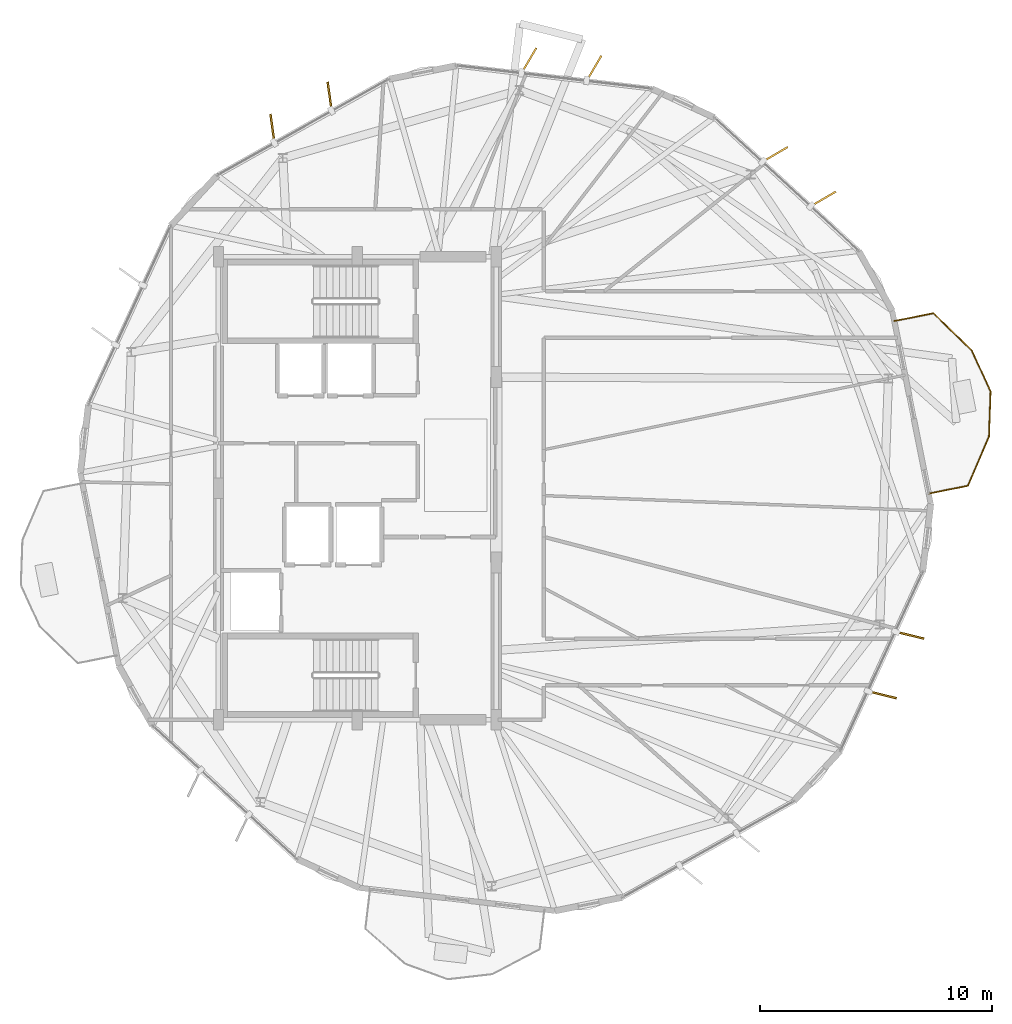
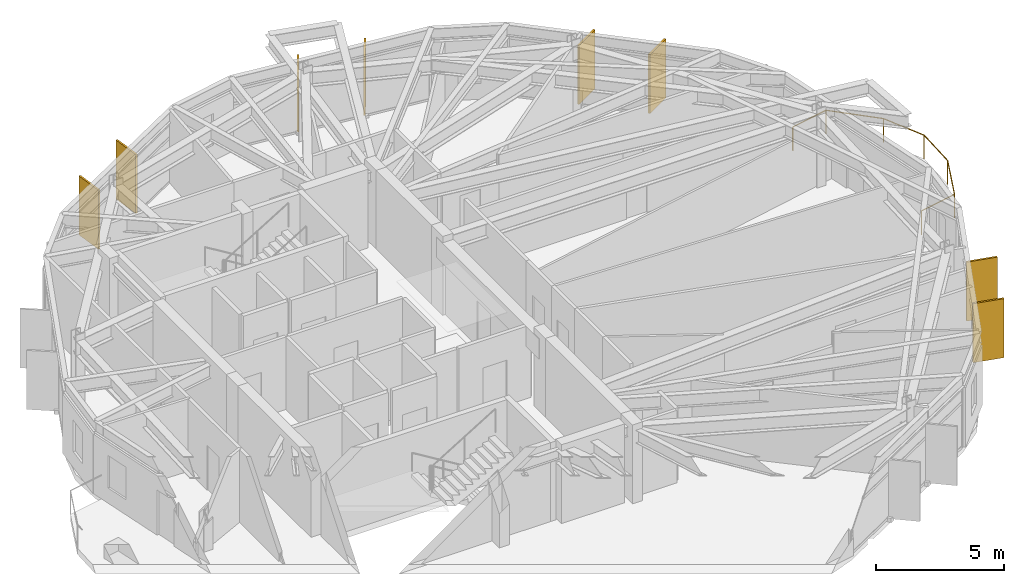
# One storey, part 25 of 25: 8 shading devices, 1 railing.
"""IFC4 building model written with IfcOpenShell, lengths in metres."""

from ifc_helpers import new_model, si_unit, direction, frame, origin, origin_2d, place, context, subcontext, project, spatial, rectangle, circle, extrude, material, layer, layer_set, type_object, element, save


model = new_model("IFC4")

# Units and contexts
model_context = context("Model", 3, precision=1e-05, world=origin(), true_north=direction((0.0, 1.0)))
body_context = subcontext(model_context, "Body", "Model", "MODEL_VIEW")
ifc_project = project(units=[si_unit("LENGTHUNIT", "METRE"), si_unit("AREAUNIT", "SQUARE_METRE"), si_unit("VOLUMEUNIT", "CUBIC_METRE"), si_unit("PLANEANGLEUNIT", "RADIAN"), si_unit("MASSUNIT", "GRAM", prefix="KILO")], contexts=[model_context])

# Site, building, storey
site_placement = place(None, origin())
site = spatial("IfcSite", under=ifc_project, at=site_placement, CompositionType="ELEMENT")
building_placement = place(site_placement, origin())
building = spatial("IfcBuilding", under=site, at=building_placement, Name="Soratama Intermodal Tower", CompositionType="ELEMENT")
storey_placement = place(building_placement, frame((0.0, 0.0, 272.5)))
storey = spatial("IfcBuildingStorey", under=building, at=storey_placement, Name="L69", CompositionType="ELEMENT", Elevation=272.5)

# Railing
ifc_material_1 = material(Name="Laminated glass and stainless steel balustrade", Category="steel")
railing_type = type_object("IfcRailingType", Name="RL-BAL-1150", PredefinedType="BALUSTRADE", material=ifc_material_1)
railing_placement = place(storey_placement, frame((61.791259765625, 32.223876953125, 0.0)))
element("IfcRailing", 1, at=railing_placement, inside=storey, type_object=railing_type, Name="L69 Balcony Balustrade 1", PredefinedType="BALUSTRADE", context=body_context, shape_type="SweptSolid", body=[
    extrude(circle(Radius=0.02392578125, at=origin_2d()), frame((0.0, 0.0, 1.1259765625), z_axis=(0.98068426612, 0.19559746978, 0.0), x_axis=(-0.19559746978, 0.98068426612, 0.0)), (0.0, 0.0, 1.0), 1.719970703125),
    extrude(circle(Radius=0.02392578125, at=origin_2d()), frame((1.686767578125, 0.33642578125, 1.1259765625), z_axis=(0.717969268323, -0.696074801831, 0.0), x_axis=(0.696074801831, 0.717969268323, 0.0)), (0.0, 0.0, 1.0), 2.30810546875),
    extrude(circle(Radius=0.02392578125, at=origin_2d()), frame((3.343994140625, -1.270263671875, 1.1259765625), z_axis=(0.41588386792, -0.909417730421, 0.0), x_axis=(0.909417730421, 0.41588386792, 0.0)), (0.0, 0.0, 1.0), 1.952392578125),
    extrude(circle(Radius=0.02392578125, at=origin_2d()), frame((4.156005859375, -3.0458984375, 1.1259765625), z_axis=(-0.035267747173, -0.9993778995, 0.0), x_axis=(0.9993778995, -0.035267747173, 0.0)), (0.0, 0.0, 1.0), 1.9521484375),
    extrude(circle(Radius=0.02392578125, at=origin_2d()), frame((4.087158203125, -4.996826171875, 1.1259765625), z_axis=(-0.395897013826, -0.918294916921, 0.0), x_axis=(0.918294916921, -0.395897013826, 0.0)), (0.0, 0.0, 1.0), 2.30810546875),
    extrude(circle(Radius=0.02392578125, at=origin_2d()), frame((3.17333984375, -7.116455078125, 1.1259765625), z_axis=(-0.98068426612, -0.19559746978, 0.0), x_axis=(0.19559746978, -0.98068426612, 0.0)), (0.0, 0.0, 1.0), 1.719970703125),
    extrude(circle(Radius=0.02099609375, at=origin_2d()), origin(), (0.0, 0.0, 1.0), 1.101806640625),
    extrude(circle(Radius=0.02099609375, at=origin_2d()), frame((1.686767578125, 0.33642578125, 0.0)), (0.0, 0.0, 1.0), 1.101806640625),
    extrude(circle(Radius=0.02099609375, at=origin_2d()), frame((3.343994140625, -1.270263671875, 0.0)), (0.0, 0.0, 1.0), 1.101806640625),
    extrude(circle(Radius=0.02099609375, at=origin_2d()), frame((4.156005859375, -3.0458984375, 0.0)), (0.0, 0.0, 1.0), 1.101806640625),
    extrude(circle(Radius=0.02099609375, at=origin_2d()), frame((4.087158203125, -4.996826171875, 0.0)), (0.0, 0.0, 1.0), 1.101806640625),
    extrude(circle(Radius=0.02099609375, at=origin_2d()), frame((3.17333984375, -7.116455078125, 0.0)), (0.0, 0.0, 1.0), 1.101806640625),
    extrude(circle(Radius=0.02099609375, at=origin_2d()), frame((1.486572265625, -7.452880859375, 0.0)), (0.0, 0.0, 1.0), 1.101806640625),
])

# Shading devices
ifc_material_2 = material(Name="Champagne anodised aluminium solar fin", Category="aluminium")
ifc_layer = layer(ifc_material_2, 0.080078125)
ifc_layer_set = layer_set([ifc_layer], Name="Champagne anodised aluminium solar fin")
shading_device_type = type_object("IfcShadingDeviceType", Name="SH-FIN-1250", PredefinedType="USERDEFINED", material=ifc_layer_set)
for number, where, z_axis, x_axis, name in (
    (2, (48.82568359375, 43.1474609375, 0.02001953125), (0.0, 0.0, 1.0), (0.506334807353, 0.862336977557, 0.0), "L69 Solar Fin F01-1"),
    (3, (46.011962890625, 43.47900390625, 0.02001953125), (0.0, 0.0, 1.0), (0.506334807353, 0.862336977557, 0.0), "L69 Solar Fin F01-2"),
    (4, (37.40234375, 41.92724609375, 0.02001953125), (0.0, 0.0, 1.0), (-0.137444546037, 0.990509463238, 0.0), "L69 Solar Fin F02-1"),
    (5, (34.930908203125, 40.54150390625, 0.02001953125), (0.0, 0.0, 1.0), (-0.137444546037, 0.990509463238, 0.0), "L69 Solar Fin F02-2"),
    (6, (61.275390625, 16.08203125, 0.02001953125), (0.0, 0.0, 1.0), (0.971050956862, -0.238872432853, 0.0), "L69 Solar Fin F08-1"),
    (7, (62.460205078125, 18.65576171875, 0.02001953125), (0.0, 0.0, 1.0), (0.971050956862, -0.238872432853, 0.0), "L69 Solar Fin F08-2"),
    (8, (58.7275390625, 37.50048828125, 0.02001953125), (0.0, 0.0, 1.0), (0.863307480775, 0.504678307081, 0.0), "L69 Solar Fin F10-1"),
    (9, (56.64599609375, 39.422607421875, 0.02001953125), (0.0, 0.0, 1.0), (0.863307480775, 0.504678307081, 0.0), "L69 Solar Fin F10-2"),
):
    element("IfcShadingDevice", number, at=place(storey_placement, frame(where, z_axis=z_axis, x_axis=x_axis)), inside=storey, type_object=shading_device_type, Name=name, ObjectType="FIN", PredefinedType="USERDEFINED", context=body_context, shape_type="SweptSolid", body=[
        extrude(rectangle(XDim=1.25, YDim=0.080078125, at=origin_2d()), origin(), (0.0, 0.0, 1.0), 2.80908203125),
    ])

save(model, "model.ifc")
